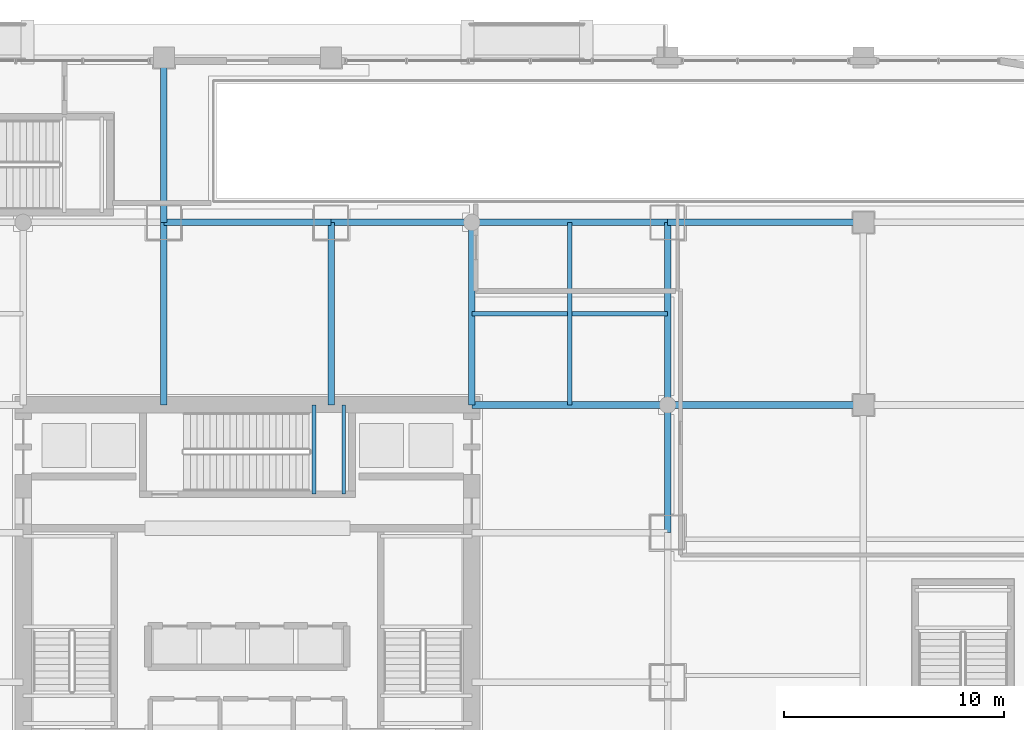
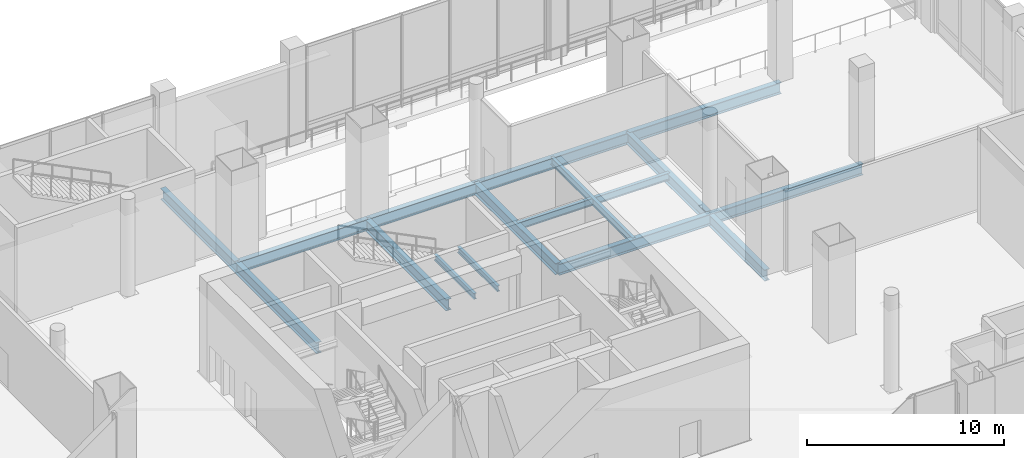
# One storey, part 10 of 32: 14 beams.
"""IFC4 building model written with IfcOpenShell, lengths in metres."""

from ifc_helpers import new_model, si_unit, direction, frame, origin, origin_2d, place, context, subcontext, project, spatial, i_section, extrude, material, material_profile, profile_set, type_object, element, save


model = new_model("IFC4")

# Units and contexts
model_context = context("Model", 3, precision=1e-05, world=origin(), true_north=direction((0.0, 1.0)))
body_context = subcontext(model_context, "Body", "Model", "MODEL_VIEW")
ifc_project = project(units=[si_unit("LENGTHUNIT", "METRE"), si_unit("AREAUNIT", "SQUARE_METRE"), si_unit("VOLUMEUNIT", "CUBIC_METRE"), si_unit("PLANEANGLEUNIT", "RADIAN"), si_unit("MASSUNIT", "GRAM", prefix="KILO")], contexts=[model_context])

# Site, building, storey
site_placement = place(None, origin())
site = spatial("IfcSite", under=ifc_project, at=site_placement, CompositionType="ELEMENT")
building_placement = place(site_placement, origin())
building = spatial("IfcBuilding", under=site, at=building_placement, Name="Punatoya Terracotta Tower", CompositionType="ELEMENT")
storey_placement = place(building_placement, origin())
storey = spatial("IfcBuildingStorey", under=building, at=storey_placement, Name="L00", CompositionType="ELEMENT", Elevation=0.0)

# Beams
ifc_material = material(Name="Steel S355", Category="steel")
ifc_material_profile_1 = material_profile(ifc_material, i_section(OverallWidth=0.300048828125, OverallDepth=0.699951171875, WebThickness=0.01708984375, FlangeThickness=0.031982421875, FilletRadius=0.01806640625, at=origin_2d()))
ifc_profile_set_1 = profile_set([ifc_material_profile_1], Name="Steel S355")
beam_type_1 = type_object("IfcBeamType", Name="BM-PRI-700", PredefinedType="BEAM", material=ifc_profile_set_1)
beam_1_placement = place(storey_placement, frame((-3.800048828125, 17.5, -0.6298828125), z_axis=(1.0, 0.0, 0.0), x_axis=(0.0, 1.0, 0.0)))
element("IfcBeam", 1, at=beam_1_placement, inside=storey, type_object=beam_type_1, Name="BM-L00-RG-N2", PredefinedType="BEAM", context=body_context, shape_type="SweptSolid", body=[
    extrude(i_section(OverallWidth=0.300048828125, OverallDepth=0.699951171875, WebThickness=0.01708984375, FlangeThickness=0.031982421875, FilletRadius=0.01806640625, at=origin_2d()), origin(), (0.0, 0.0, 1.0), 7.60009765625),
])
beam_2_placement = place(storey_placement, frame((3.800048828125, 17.5, -0.6298828125), z_axis=(1.0, 0.0, 0.0), x_axis=(0.0, 1.0, 0.0)))
element("IfcBeam", 2, at=beam_2_placement, inside=storey, type_object=beam_type_1, Name="BM-L00-RG-N3", PredefinedType="BEAM", context=body_context, shape_type="SweptSolid", body=[
    extrude(i_section(OverallWidth=0.300048828125, OverallDepth=0.699951171875, WebThickness=0.01708984375, FlangeThickness=0.031982421875, FilletRadius=0.01806640625, at=origin_2d()), origin(), (0.0, 0.0, 1.0), 15.300048828125),
])
beam_3_placement = place(storey_placement, frame((19.10009765625, 3.39990234375, -0.6298828125), z_axis=(0.0, 1.0, 0.0), x_axis=(-1.0, 0.0, 0.0)))
element("IfcBeam", 3, at=beam_3_placement, inside=storey, type_object=beam_type_1, Name="BM-L00-RG-E3", PredefinedType="BEAM", context=body_context, shape_type="SweptSolid", body=[
    extrude(i_section(OverallWidth=0.300048828125, OverallDepth=0.699951171875, WebThickness=0.01708984375, FlangeThickness=0.031982421875, FilletRadius=0.01806640625, at=origin_2d()), origin(), (0.0, 0.0, 1.0), 14.10009765625),
])
beam_4_placement = place(storey_placement, frame((10.199951171875, 9.199951171875, -0.6298828125), z_axis=(1.0, 0.0, 0.0), x_axis=(0.0, 1.0, 0.0)))
element("IfcBeam", 4, at=beam_4_placement, inside=storey, type_object=beam_type_1, Name="BM-L00-PR-EN", PredefinedType="BEAM", context=body_context, shape_type="SweptSolid", body=[
    extrude(i_section(OverallWidth=0.300048828125, OverallDepth=0.699951171875, WebThickness=0.01708984375, FlangeThickness=0.031982421875, FilletRadius=0.01806640625, at=origin_2d()), origin(), (0.0, 0.0, 1.0), 8.900146484375),
])
for number, where, z_axis, x_axis, name in (
    (5, (-3.800048828125, 9.199951171875, -0.6298828125), (0.0, 1.0, 0.0), (-1.0, 0.0, 0.0), "BM-L00-PR-N2"),
    (6, (3.800048828125, 9.199951171875, -0.6298828125), (0.0, 1.0, 0.0), (-1.0, 0.0, 0.0), "BM-L00-PR-N3"),
    (7, (10.199951171875, 9.199951171875, -0.6298828125), (0.0, 1.0, 0.0), (-1.0, 0.0, 0.0), "BM-L00-PR-N4"),
):
    element("IfcBeam", number, at=place(storey_placement, frame(where, z_axis=z_axis, x_axis=x_axis)), inside=storey, type_object=beam_type_1, Name=name, PredefinedType="BEAM", context=body_context, shape_type="SweptSolid", body=[
        extrude(i_section(OverallWidth=0.300048828125, OverallDepth=0.699951171875, WebThickness=0.01708984375, FlangeThickness=0.031982421875, FilletRadius=0.01806640625, at=origin_2d()), origin(), (0.0, 0.0, 1.0), 8.300048828125),
    ])
for number, where, z_axis, x_axis, name in (
    (8, (19.10009765625, 9.199951171875, -0.6298828125), (1.0, 0.0, 0.0), (0.0, 1.0, 0.0), "BM-L00-FE1"),
    (9, (19.10009765625, 17.5, -0.6298828125), (1.0, 0.0, 0.0), (0.0, 1.0, 0.0), "BM-L00-GE1"),
):
    element("IfcBeam", number, at=place(storey_placement, frame(where, z_axis=z_axis, x_axis=x_axis)), inside=storey, type_object=beam_type_1, Name=name, PredefinedType="BEAM", context=body_context, shape_type="SweptSolid", body=[
        extrude(i_section(OverallWidth=0.300048828125, OverallDepth=0.699951171875, WebThickness=0.01708984375, FlangeThickness=0.031982421875, FilletRadius=0.01806640625, at=origin_2d()), origin(), (0.0, 0.0, 1.0), 8.89990234375),
    ])
beam_5_placement = place(storey_placement, frame((-3.800048828125, 17.5, -0.6298828125), z_axis=(0.0, 1.0, 0.0), x_axis=(-1.0, 0.0, 0.0)))
element("IfcBeam", 10, at=beam_5_placement, inside=storey, type_object=beam_type_1, Name="BM-L00-NS-3-N", PredefinedType="BEAM", context=body_context, shape_type="SweptSolid", body=[
    extrude(i_section(OverallWidth=0.300048828125, OverallDepth=0.699951171875, WebThickness=0.01708984375, FlangeThickness=0.031982421875, FilletRadius=0.01806640625, at=origin_2d()), origin(), (0.0, 0.0, 1.0), 7.5),
])
ifc_material_profile_2 = material_profile(ifc_material, i_section(OverallWidth=0.169921875, OverallDepth=0.360107421875, WebThickness=0.008056640625, FlangeThickness=0.0126953125, FilletRadius=0.01806640625, at=origin_2d()))
ifc_profile_set_2 = profile_set([ifc_material_profile_2], Name="Steel S355")
beam_type_2 = type_object("IfcBeamType", Name="BM-SEC-360", PredefinedType="JOIST", material=ifc_profile_set_2)
for number, where, z_axis, x_axis, name in (
    (11, (3.02001953125, 5.14990234375, 2.6201171875), (0.0, 1.0, 0.0), (-1.0, 0.0, 0.0), "BM-L00-ST-3-LD1A"),
    (12, (4.3798828125, 5.14990234375, 2.6201171875), (0.0, 1.0, 0.0), (-1.0, 0.0, 0.0), "BM-L00-ST-3-LD1B"),
):
    element("IfcBeam", number, at=place(storey_placement, frame(where, z_axis=z_axis, x_axis=x_axis)), inside=storey, type_object=beam_type_2, Name=name, PredefinedType="JOIST", context=body_context, shape_type="SweptSolid", body=[
        extrude(i_section(OverallWidth=0.169921875, OverallDepth=0.360107421875, WebThickness=0.008056640625, FlangeThickness=0.0126953125, FilletRadius=0.01806640625, at=origin_2d()), origin(), (0.0, 0.0, 1.0), 4.050048828125),
    ])
ifc_material_profile_3 = material_profile(ifc_material, i_section(OverallWidth=0.18994140625, OverallDepth=0.449951171875, WebThickness=0.009521484375, FlangeThickness=0.0146484375, FilletRadius=0.01806640625, at=origin_2d()))
ifc_profile_set_3 = profile_set([ifc_material_profile_3], Name="Steel S355")
beam_type_3 = type_object("IfcBeamType", Name="BM-SEC-450", PredefinedType="JOIST", material=ifc_profile_set_3)
beam_6_placement = place(storey_placement, frame((10.199951171875, 13.35009765625, -0.5048828125), z_axis=(1.0, 0.0, 0.0), x_axis=(0.0, 1.0, 0.0)))
element("IfcBeam", 13, at=beam_6_placement, inside=storey, type_object=beam_type_3, Name="BM-L00-SJN-2", PredefinedType="JOIST", context=body_context, shape_type="SweptSolid", body=[
    extrude(i_section(OverallWidth=0.18994140625, OverallDepth=0.449951171875, WebThickness=0.009521484375, FlangeThickness=0.0146484375, FilletRadius=0.01806640625, at=origin_2d()), origin(), (0.0, 0.0, 1.0), 8.900146484375),
])
beam_7_placement = place(storey_placement, frame((14.64990234375, 9.199951171875, -0.5048828125), z_axis=(0.0, 1.0, 0.0), x_axis=(-1.0, 0.0, 0.0)))
element("IfcBeam", 14, at=beam_7_placement, inside=storey, type_object=beam_type_3, Name="BM-L00-SJE-2", PredefinedType="JOIST", context=body_context, shape_type="SweptSolid", body=[
    extrude(i_section(OverallWidth=0.18994140625, OverallDepth=0.449951171875, WebThickness=0.009521484375, FlangeThickness=0.0146484375, FilletRadius=0.01806640625, at=origin_2d()), origin(), (0.0, 0.0, 1.0), 8.300048828125),
])

save(model, "model.ifc")
